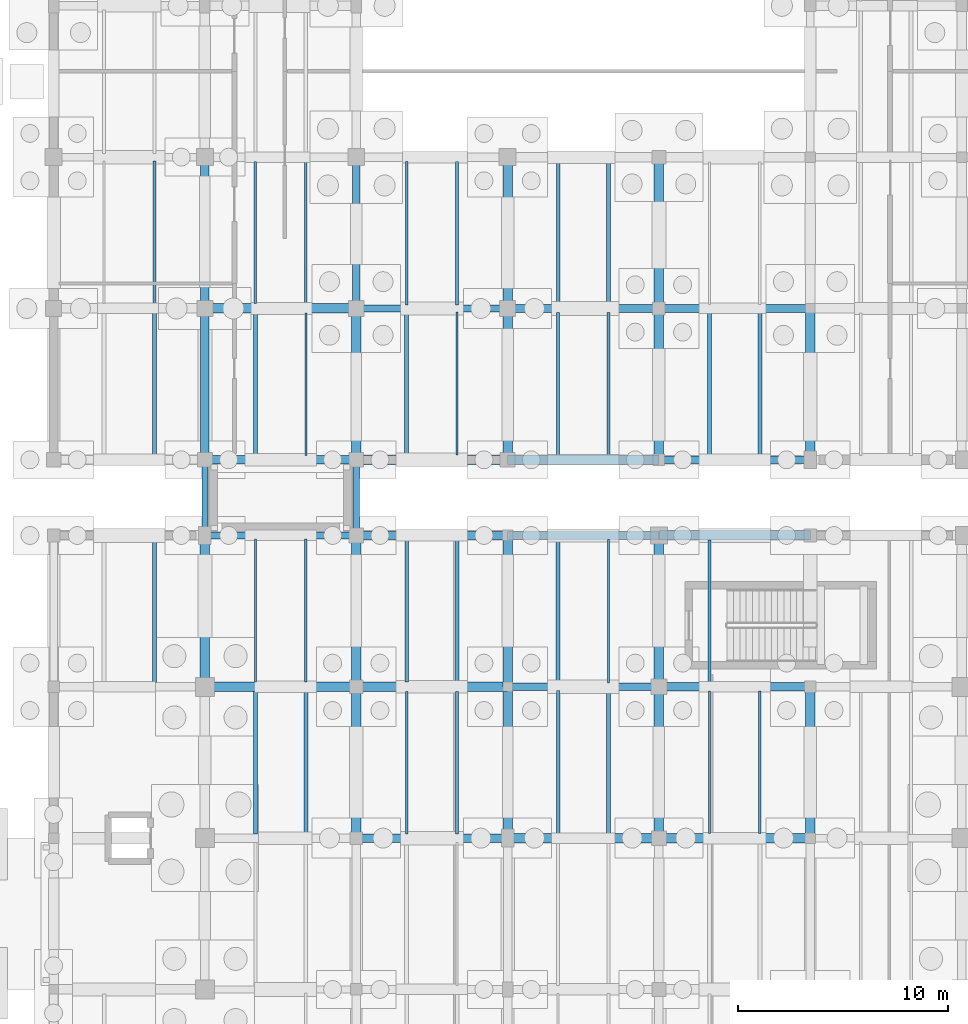
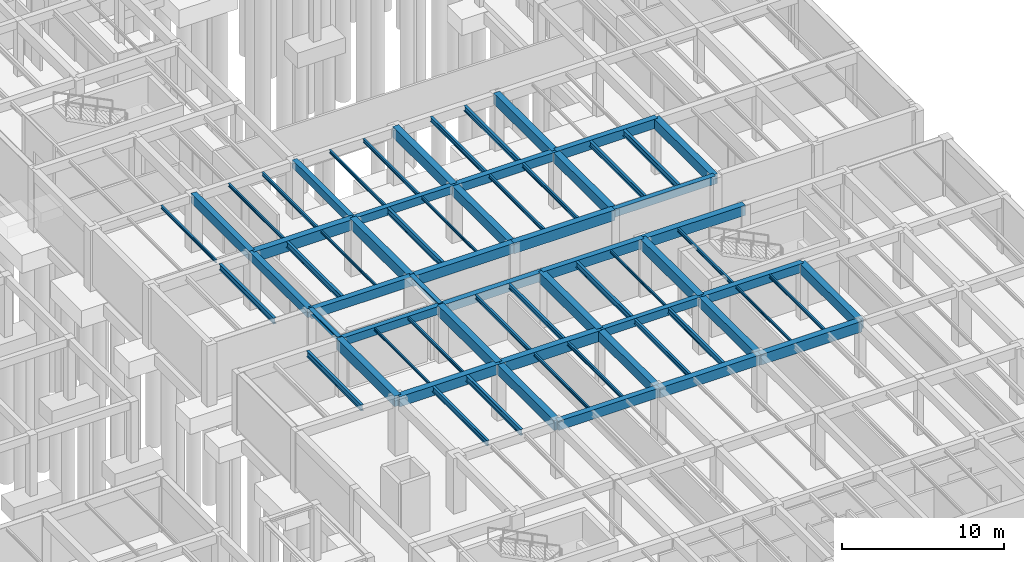
# One storey, part 35 of 63: 70 beams.
"""IFC4 building model written with IfcOpenShell, lengths in metres."""

import ifcopenshell
import ifcopenshell.guid

model = None  # the IFC model being written
_history = None  # IfcOwnerHistory: only IFC2X3 demands one
_inside = {}  # id of a spatial element -> (the spatial element, [elements in it])
_under = {}  # id of a project, library or spatial element -> (it, [spatial elements below it])
_declared = {}  # id of a project -> (the project, [libraries it declares])
_typed = {}  # id of a type object -> (the type object, [elements of that type])
_made_of = {}  # id of a material, layer set ... -> (it, [elements and type objects made of it])


def new_model(schema):
    """Start an empty IFC model of exactly this schema.

    Asked for "IFC4X3", IfcOpenShell would pick the latest addendum, in which some entities
    have other attributes; the version numbers below select the first issue.
    IFC2X3 requires an IfcOwnerHistory on every rooted entity: one is made here for all.
    """
    global model, _history
    if schema == "IFC4X3":
        model = ifcopenshell.file(schema_version=(4, 3, 0, 0))
    else:
        model = ifcopenshell.file(schema=schema)
    _inside.clear()
    _under.clear()
    _declared.clear()
    _typed.clear()
    _made_of.clear()
    _history = None
    if model.schema == "IFC2X3":
        org = make("IfcOrganization", Name="unknown")
        user = make(
            "IfcPersonAndOrganization",
            ThePerson=make("IfcPerson", FamilyName="unknown"),
            TheOrganization=org,
        )
        app = make(
            "IfcApplication",
            ApplicationDeveloper=org,
            Version="unknown",
            ApplicationFullName="unknown",
            ApplicationIdentifier="unknown",
        )
        _history = make(
            "IfcOwnerHistory",
            OwningUser=user,
            OwningApplication=app,
            ChangeAction="ADDED",
            CreationDate=0,
        )
    return model


def make(cls, **values):
    """One entity of the class cls with the attributes given. An attribute that is None is left unset."""
    return model.create_entity(
        cls, **{name: value for name, value in values.items() if value is not None}
    )


def rooted(cls, **values):
    """An entity with a GlobalId (a new one), such as an element, a storey or a relation."""
    return make(cls, GlobalId=ifcopenshell.guid.new(), OwnerHistory=_history, **values)


def si_unit(unit_type, name, prefix=None):
    """IfcSIUnit, for example si_unit("LENGTHUNIT", "METRE", prefix="MILLI")."""
    return make("IfcSIUnit", UnitType=unit_type, Prefix=prefix, Name=name)


def assignment(units):
    """IfcUnitAssignment: the units of a project."""
    return None if units is None else make("IfcUnitAssignment", Units=units)


def point(xyz):
    """IfcCartesianPoint."""
    return None if xyz is None else make("IfcCartesianPoint", Coordinates=xyz)


def direction(xyz):
    """IfcDirection."""
    return None if xyz is None else make("IfcDirection", DirectionRatios=xyz)


def frame(location, z_axis=None, x_axis=None):
    """IfcAxis2Placement3D, a coordinate frame: its origin and axes. An axis left out is left unset."""
    return make(
        "IfcAxis2Placement3D",
        Location=point(location),
        Axis=direction(z_axis),
        RefDirection=direction(x_axis),
    )


def frame_2d(location, x_axis=None):
    """IfcAxis2Placement2D, a coordinate frame in the plane: its origin and x axis."""
    return make(
        "IfcAxis2Placement2D", Location=point(location), RefDirection=direction(x_axis)
    )


def origin():
    """The frame at (0, 0, 0) with its axes left unset."""
    return frame((0.0, 0.0, 0.0))


def origin_2d():
    """The frame at (0, 0) in the plane with its x axis left unset."""
    return frame_2d((0.0, 0.0))


def place(relative_to, where):
    """IfcLocalPlacement: puts the frame where relative to a parent placement (None: the world)."""
    return make(
        "IfcLocalPlacement", PlacementRelTo=relative_to, RelativePlacement=where
    )


def context(
    kind, dimensions, precision=None, world=None, true_north=None, identifier=None
):
    """IfcGeometricRepresentationContext, for example the 3D "Model" context."""
    return make(
        "IfcGeometricRepresentationContext",
        ContextIdentifier=identifier,
        ContextType=kind,
        CoordinateSpaceDimension=dimensions,
        Precision=precision,
        WorldCoordinateSystem=world,
        TrueNorth=true_north,
    )


def subcontext(parent, identifier, kind, view, scale=None):
    """IfcGeometricRepresentationSubContext, for example "Body" below "Model"."""
    return make(
        "IfcGeometricRepresentationSubContext",
        ContextIdentifier=identifier,
        ContextType=kind,
        ParentContext=parent,
        TargetScale=scale,
        TargetView=view,
    )


def project(units=None, contexts=None):
    """IfcProject with its units and contexts."""
    return rooted(
        "IfcProject",
        Name="project",
        RepresentationContexts=contexts,
        UnitsInContext=assignment(units),
    )


def spatial(cls, under=None, at=None, **own):
    """A site, building, storey or space (cls), placed at a placement, below another one or the project."""
    s = rooted(cls, ObjectPlacement=at, **own)
    if under is not None:
        _under.setdefault(under.id(), (under, []))[1].append(s)
    return s


def profile(cls, at=None, kind="AREA", **sizes):
    """A parametric profile (cls). Its sizes go by their IFC names, for example OverallWidth=200.0."""
    return make(cls, ProfileType=kind, Position=at, **sizes)


def rectangle(**sizes):
    """IfcRectangleProfileDef."""
    return profile("IfcRectangleProfileDef", **sizes)


def i_section(**sizes):
    """IfcIShapeProfileDef."""
    return profile("IfcIShapeProfileDef", **sizes)


def extrude(swept, where, along, depth):
    """IfcExtrudedAreaSolid: the profile swept, set in the frame where, extruded along a direction by depth."""
    return make(
        "IfcExtrudedAreaSolid",
        SweptArea=swept,
        Position=where,
        ExtrudedDirection=direction(along),
        Depth=depth,
    )


def shape(context_of_items, identifier, shape_type, items):
    """IfcShapeRepresentation: the items that make up one representation, for example the "Body"."""
    return make(
        "IfcShapeRepresentation",
        ContextOfItems=context_of_items,
        RepresentationIdentifier=identifier,
        RepresentationType=shape_type,
        Items=items,
    )


def material(Name=None, Category=None):
    """IfcMaterial."""
    return make("IfcMaterial", Name=Name, Category=Category)


def material_profile(
    of_material, cross_section, Name=None, Category=None, Priority=None
):
    """IfcMaterialProfile: a cross section and its material."""
    return make(
        "IfcMaterialProfile",
        Name=Name,
        Material=of_material,
        Profile=cross_section,
        Priority=Priority,
        Category=Category,
    )


def profile_set(profiles, Name=None, composite=None):
    """IfcMaterialProfileSet."""
    return make(
        "IfcMaterialProfileSet",
        Name=Name,
        MaterialProfiles=profiles,
        CompositeProfile=composite,
    )


def made_of(thing, what):
    """Note that an element or type object is made of a material, layer set ...; save() writes the relation."""
    if what is not None:
        _made_of.setdefault(what.id(), (what, []))[1].append(thing)
    return thing


def type_object(cls, material=None, **own):
    """A type object (cls), such as IfcWallType, which elements share."""
    return made_of(rooted(cls, **own), material)


def element(
    cls,
    number,
    at=None,
    inside=None,
    cuts=None,
    type_object=None,
    material=None,
    context=None,
    identifier="Body",
    shape_type=None,
    held_by="IfcProductDefinitionShape",
    body=None,
    shapes=None,
    **own,
):
    """One element of the class cls, such as IfcWall. Its Tag is "e" and its number.

    at: its placement. inside: the storey or other place that contains it. cuts: it is an
    opening in that element (IfcRelVoidsElement). A single representation is given by context,
    identifier, shape_type and body (its items); several are given by shapes. held_by: the class
    of the entity that holds the representations. save() writes the other relations.
    """
    e = rooted(cls, Tag="e%d" % number, ObjectPlacement=at, **own)
    if body is not None:
        shapes = [shape(context, identifier, shape_type, body)]
    if shapes is not None:
        e.Representation = make(held_by, Representations=shapes)
    if inside is not None:
        _inside.setdefault(inside.id(), (inside, []))[1].append(e)
    if cuts is not None:
        rooted(
            "IfcRelVoidsElement", RelatingBuildingElement=cuts, RelatedOpeningElement=e
        )
    if type_object is not None:
        _typed.setdefault(type_object.id(), (type_object, []))[1].append(e)
    return made_of(e, material)


def aggregate(whole, parts):
    """IfcRelAggregates: a whole, such as a stair, and the parts it consists of."""
    return rooted("IfcRelAggregates", RelatingObject=whole, RelatedObjects=parts)


def save(model, path):
    """Write the relations noted so far, then the file.

    IfcRelAggregates (storeys below a building ...), IfcRelContainedInSpatialStructure (elements
    in a storey), IfcRelDefinesByType, IfcRelAssociatesMaterial and IfcRelDeclares: one each for
    every whole, place, type object, material and project.
    """
    for whole, parts in _under.values():
        aggregate(whole, parts)
    for where, things in _inside.values():
        rooted(
            "IfcRelContainedInSpatialStructure",
            RelatedElements=things,
            RelatingStructure=where,
        )
    for kind, things in _typed.values():
        rooted("IfcRelDefinesByType", RelatedObjects=things, RelatingType=kind)
    for what, things in _made_of.values():
        rooted("IfcRelAssociatesMaterial", RelatedObjects=things, RelatingMaterial=what)
    for by, libraries in _declared.values():
        rooted("IfcRelDeclares", RelatingContext=by, RelatedDefinitions=libraries)
    model.write(path)


model = new_model("IFC4")

# Units and contexts
model_context = context("Model", 3, precision=1e-05, world=origin(), true_north=direction((0.0, 1.0)))
body_context = subcontext(model_context, "Body", "Model", "MODEL_VIEW")
ifc_project = project(units=[si_unit("LENGTHUNIT", "METRE"), si_unit("AREAUNIT", "SQUARE_METRE"), si_unit("VOLUMEUNIT", "CUBIC_METRE"), si_unit("PLANEANGLEUNIT", "RADIAN"), si_unit("MASSUNIT", "GRAM", prefix="KILO")], contexts=[model_context])

# Site, building, storey
site_placement = place(None, origin())
site = spatial("IfcSite", under=ifc_project, at=site_placement, CompositionType="ELEMENT")
building_placement = place(site_placement, origin())
building = spatial("IfcBuilding", under=site, at=building_placement, Name="Mazaris Harbour Polytechnic", CompositionType="ELEMENT")
storey_placement = place(building_placement, frame((0.0, 0.0, -4.5)))
storey = spatial("IfcBuildingStorey", under=building, at=storey_placement, Name="B1", CompositionType="ELEMENT", Elevation=-4.5)

# Beams
ifc_material_1 = material(Name="Concrete C35/45", Category="concrete")
ifc_material_profile_1 = material_profile(ifc_material_1, rectangle(XDim=0.35009765625, YDim=0.60009765625, at=origin_2d()), Name="RECT350x600")
ifc_profile_set_1 = profile_set([ifc_material_profile_1], Name="Concrete C35/45")
beam_type_1 = type_object("IfcBeamType", Name="RC Girder 350x600", PredefinedType="BEAM", material=ifc_profile_set_1)
for number, where, z_axis, x_axis, name in (
    (1, (144.0, 36.0, 3.8798828125), (1.0, 0.0, 0.0), (0.0, 1.0, 0.0), "V2 B1 Girder 310"),
    (2, (136.800048828125, 54.0, 3.8798828125), (1.0, 0.0, 0.0), (0.0, 1.0, 0.0), "V5 B1 Girder 2495"),
    (3, (136.800048828125, 54.0, 3.8798828125), (0.0, 1.0, 0.0), (-1.0, 0.0, 0.0), "V5 B1 Tie Girder 2565"),
):
    element("IfcBeam", number, at=place(storey_placement, frame(where, z_axis=z_axis, x_axis=x_axis)), inside=storey, type_object=beam_type_1, Name=name, PredefinedType="BEAM", context=body_context, shape_type="SweptSolid", body=[
        extrude(rectangle(XDim=0.35009765625, YDim=0.60009765625, at=origin_2d()), origin(), (0.0, 0.0, 1.0), 7.199951171875),
    ])
ifc_material_2 = material(Name="Concrete C35/45", Category="concrete")
ifc_material_profile_2 = material_profile(ifc_material_2, rectangle(XDim=0.35009765625, YDim=0.60009765625, at=origin_2d()), Name="RECT350x600")
ifc_profile_set_2 = profile_set([ifc_material_profile_2], Name="Concrete C35/45")
beam_type_2 = type_object("IfcBeamType", Name="RC Girder 350x600 Exterior", PredefinedType="BEAM", material=ifc_profile_set_2)
for number, where, z_axis, x_axis, name in (
    (4, (129.60009765625, 43.199951171875, 3.8798828125), (1.0, 0.0, 0.0), (0.0, 1.0, 0.0), "V2 B1 Girder 315"),
    (5, (151.199951171875, 46.800048828125, 3.8798828125), (1.0, 0.0, 0.0), (0.0, 1.0, 0.0), "V5 B1 Girder 2490"),
):
    element("IfcBeam", number, at=place(storey_placement, frame(where, z_axis=z_axis, x_axis=x_axis)), inside=storey, type_object=beam_type_2, Name=name, PredefinedType="BEAM", context=body_context, shape_type="SweptSolid", body=[
        extrude(rectangle(XDim=0.35009765625, YDim=0.60009765625, at=origin_2d()), origin(), (0.0, 0.0, 1.0), 7.199951171875),
    ])
ifc_material_3 = material(Name="Concrete C35/45", Category="concrete")
ifc_material_profile_3 = material_profile(ifc_material_3, rectangle(XDim=0.39990234375, YDim=0.64990234375, at=origin_2d()), Name="RECT400x650")
ifc_profile_set_3 = profile_set([ifc_material_profile_3], Name="Concrete C35/45")
beam_type_3 = type_object("IfcBeamType", Name="RC Girder 400x650", PredefinedType="BEAM", material=ifc_profile_set_3)
for number, where, z_axis, x_axis, name in (
    (6, (151.199951171875, 36.0, 3.85498046875), (1.0, 0.0, 0.0), (0.0, 1.0, 0.0), "V2 B1 Girder 311"),
    (7, (144.0, 54.0, 3.85498046875), (1.0, 0.0, 0.0), (0.0, 1.0, 0.0), "V5 B1 Girder 2496"),
    (8, (129.60009765625, 46.800048828125, 3.85498046875), (0.0, 1.0, 0.0), (-1.0, 0.0, 0.0), "V5 B1 Tie Girder 2556"),
):
    element("IfcBeam", number, at=place(storey_placement, frame(where, z_axis=z_axis, x_axis=x_axis)), inside=storey, type_object=beam_type_3, Name=name, PredefinedType="BEAM", context=body_context, shape_type="SweptSolid", body=[
        extrude(rectangle(XDim=0.39990234375, YDim=0.64990234375, at=origin_2d()), origin(), (0.0, 0.0, 1.0), 7.199951171875),
    ])
ifc_material_4 = material(Name="Concrete C35/45", Category="concrete")
ifc_material_profile_4 = material_profile(ifc_material_4, rectangle(XDim=0.39990234375, YDim=0.64990234375, at=origin_2d()), Name="RECT400x650")
ifc_profile_set_4 = profile_set([ifc_material_profile_4], Name="Concrete C35/45")
beam_type_4 = type_object("IfcBeamType", Name="RC Girder 400x650 Exterior", PredefinedType="BEAM", material=ifc_profile_set_4)
beam_1_placement = place(storey_placement, frame((136.800048828125, 43.199951171875, 3.85498046875), z_axis=(1.0, 0.0, 0.0), x_axis=(0.0, 1.0, 0.0)))
element("IfcBeam", 9, at=beam_1_placement, inside=storey, type_object=beam_type_4, Name="V2 B1 Girder 316", PredefinedType="BEAM", context=body_context, shape_type="SweptSolid", body=[
    extrude(rectangle(XDim=0.39990234375, YDim=0.64990234375, at=origin_2d()), origin(), (0.0, 0.0, 1.0), 7.199951171875),
])
ifc_material_5 = material(Name="Concrete C35/45", Category="concrete")
ifc_material_profile_5 = material_profile(ifc_material_5, rectangle(XDim=0.39990234375, YDim=0.699951171875, at=origin_2d()), Name="RECT400x700")
ifc_profile_set_5 = profile_set([ifc_material_profile_5], Name="Concrete C35/45")
beam_type_5 = type_object("IfcBeamType", Name="RC Girder 400x700", PredefinedType="BEAM", material=ifc_profile_set_5)
for number, where, z_axis, x_axis, name in (
    (10, (136.800048828125, 28.800048828125, 3.830078125), (1.0, 0.0, 0.0), (0.0, 1.0, 0.0), "V2 B1 Girder 302"),
    (11, (151.199951171875, 54.0, 3.830078125), (1.0, 0.0, 0.0), (0.0, 1.0, 0.0), "V5 B1 Girder 2497"),
    (12, (129.60009765625, 54.0, 3.830078125), (0.0, 1.0, 0.0), (-1.0, 0.0, 0.0), "V5 B1 Tie Girder 2557"),
):
    element("IfcBeam", number, at=place(storey_placement, frame(where, z_axis=z_axis, x_axis=x_axis)), inside=storey, type_object=beam_type_5, Name=name, PredefinedType="BEAM", context=body_context, shape_type="SweptSolid", body=[
        extrude(rectangle(XDim=0.39990234375, YDim=0.699951171875, at=origin_2d()), origin(), (0.0, 0.0, 1.0), 7.199951171875),
    ])
ifc_material_6 = material(Name="Concrete C35/45", Category="concrete")
ifc_material_profile_6 = material_profile(ifc_material_6, rectangle(XDim=0.39990234375, YDim=0.699951171875, at=origin_2d()), Name="RECT400x700")
ifc_profile_set_6 = profile_set([ifc_material_profile_6], Name="Concrete C35/45")
beam_type_6 = type_object("IfcBeamType", Name="RC Girder 400x700 Exterior", PredefinedType="BEAM", material=ifc_profile_set_6)
for number, where, z_axis, x_axis, name in (
    (13, (144.0, 43.199951171875, 3.830078125), (1.0, 0.0, 0.0), (0.0, 1.0, 0.0), "V2 B1 Girder 317"),
    (14, (129.60009765625, 46.800048828125, 3.830078125), (1.0, 0.0, 0.0), (0.0, 1.0, 0.0), "V5 B1 Girder 2487"),
):
    element("IfcBeam", number, at=place(storey_placement, frame(where, z_axis=z_axis, x_axis=x_axis)), inside=storey, type_object=beam_type_6, Name=name, PredefinedType="BEAM", context=body_context, shape_type="SweptSolid", body=[
        extrude(rectangle(XDim=0.39990234375, YDim=0.699951171875, at=origin_2d()), origin(), (0.0, 0.0, 1.0), 7.199951171875),
    ])
ifc_material_7 = material(Name="Concrete C40/50", Category="concrete")
ifc_material_profile_7 = material_profile(ifc_material_7, rectangle(XDim=0.449951171875, YDim=0.75, at=origin_2d()), Name="RECT450x750")
ifc_profile_set_7 = profile_set([ifc_material_profile_7], Name="Concrete C40/50")
beam_type_7 = type_object("IfcBeamType", Name="RC Girder 450x750", PredefinedType="BEAM", material=ifc_profile_set_7)
for number, where, z_axis, x_axis, name in (
    (15, (144.0, 28.800048828125, 3.804931640625), (1.0, 0.0, 0.0), (0.0, 1.0, 0.0), "V2 B1 Girder 303"),
    (16, (129.60009765625, 36.0, 3.804931640625), (1.0, 0.0, 0.0), (0.0, 1.0, 0.0), "V2 B1 Girder 308"),
    (17, (136.800048828125, 28.800048828125, 3.804931640625), (0.0, 1.0, 0.0), (-1.0, 0.0, 0.0), "V2 B1 Tie Girder 333"),
    (18, (144.0, 28.800048828125, 3.804931640625), (0.0, 1.0, 0.0), (-1.0, 0.0, 0.0), "V2 B1 Tie Girder 338"),
    (19, (151.199951171875, 28.800048828125, 3.804931640625), (0.0, 1.0, 0.0), (-1.0, 0.0, 0.0), "V2 B1 Tie Girder 343"),
    (20, (158.39990234375, 28.800048828125, 3.804931640625), (0.0, 1.0, 0.0), (-1.0, 0.0, 0.0), "V2 B1 Tie Girder 348"),
    (21, (144.0, 46.800048828125, 3.804931640625), (0.0, 1.0, 0.0), (-1.0, 0.0, 0.0), "V5 B1 Tie Girder 2573"),
    (22, (151.199951171875, 46.800048828125, 3.804931640625), (0.0, 1.0, 0.0), (-1.0, 0.0, 0.0), "V5 B1 Tie Girder 2578"),
    (23, (158.39990234375, 46.800048828125, 3.804931640625), (0.0, 1.0, 0.0), (-1.0, 0.0, 0.0), "V5 B1 Tie Girder 2583"),
):
    element("IfcBeam", number, at=place(storey_placement, frame(where, z_axis=z_axis, x_axis=x_axis)), inside=storey, type_object=beam_type_7, Name=name, PredefinedType="BEAM", context=body_context, shape_type="SweptSolid", body=[
        extrude(rectangle(XDim=0.449951171875, YDim=0.75, at=origin_2d()), origin(), (0.0, 0.0, 1.0), 7.199951171875),
    ])
ifc_material_8 = material(Name="Concrete C40/50", Category="concrete")
ifc_material_profile_8 = material_profile(ifc_material_8, rectangle(XDim=0.449951171875, YDim=0.75, at=origin_2d()), Name="RECT450x750")
ifc_profile_set_8 = profile_set([ifc_material_profile_8], Name="Concrete C40/50")
beam_type_8 = type_object("IfcBeamType", Name="RC Girder 450x750 Exterior", PredefinedType="BEAM", material=ifc_profile_set_8)
for number, where, z_axis, x_axis, name in (
    (24, (151.199951171875, 43.199951171875, 3.804931640625), (1.0, 0.0, 0.0), (0.0, 1.0, 0.0), "V2 B1 Girder 318"),
    (25, (136.800048828125, 46.800048828125, 3.804931640625), (1.0, 0.0, 0.0), (0.0, 1.0, 0.0), "V5 B1 Girder 2488"),
):
    element("IfcBeam", number, at=place(storey_placement, frame(where, z_axis=z_axis, x_axis=x_axis)), inside=storey, type_object=beam_type_8, Name=name, PredefinedType="BEAM", context=body_context, shape_type="SweptSolid", body=[
        extrude(rectangle(XDim=0.449951171875, YDim=0.75, at=origin_2d()), origin(), (0.0, 0.0, 1.0), 7.199951171875),
    ])
ifc_material_9 = material(Name="Concrete C40/50", Category="concrete")
ifc_material_profile_9 = material_profile(ifc_material_9, rectangle(XDim=0.449951171875, YDim=0.800048828125, at=origin_2d()), Name="RECT450x800")
ifc_profile_set_9 = profile_set([ifc_material_profile_9], Name="Concrete C40/50")
beam_type_9 = type_object("IfcBeamType", Name="RC Girder 450x800", PredefinedType="BEAM", material=ifc_profile_set_9)
for number, where, z_axis, x_axis, name in (
    (26, (151.199951171875, 28.800048828125, 3.780029296875), (1.0, 0.0, 0.0), (0.0, 1.0, 0.0), "V2 B1 Girder 304"),
    (27, (136.800048828125, 36.0, 3.780029296875), (1.0, 0.0, 0.0), (0.0, 1.0, 0.0), "V2 B1 Girder 309"),
    (28, (129.60009765625, 36.0, 3.780029296875), (0.0, 1.0, 0.0), (-1.0, 0.0, 0.0), "V2 B1 Tie Girder 329"),
    (29, (136.800048828125, 36.0, 3.780029296875), (0.0, 1.0, 0.0), (-1.0, 0.0, 0.0), "V2 B1 Tie Girder 334"),
    (30, (144.0, 36.0, 3.780029296875), (0.0, 1.0, 0.0), (-1.0, 0.0, 0.0), "V2 B1 Tie Girder 339"),
    (31, (151.199951171875, 36.0, 3.780029296875), (0.0, 1.0, 0.0), (-1.0, 0.0, 0.0), "V2 B1 Tie Girder 344"),
    (32, (129.60009765625, 54.0, 3.780029296875), (1.0, 0.0, 0.0), (0.0, 1.0, 0.0), "V5 B1 Girder 2494"),
    (33, (136.800048828125, 46.800048828125, 3.780029296875), (0.0, 1.0, 0.0), (-1.0, 0.0, 0.0), "V5 B1 Tie Girder 2564"),
    (34, (144.0, 54.0, 3.780029296875), (0.0, 1.0, 0.0), (-1.0, 0.0, 0.0), "V5 B1 Tie Girder 2574"),
    (35, (151.199951171875, 54.0, 3.780029296875), (0.0, 1.0, 0.0), (-1.0, 0.0, 0.0), "V5 B1 Tie Girder 2579"),
):
    element("IfcBeam", number, at=place(storey_placement, frame(where, z_axis=z_axis, x_axis=x_axis)), inside=storey, type_object=beam_type_9, Name=name, PredefinedType="BEAM", context=body_context, shape_type="SweptSolid", body=[
        extrude(rectangle(XDim=0.449951171875, YDim=0.800048828125, at=origin_2d()), origin(), (0.0, 0.0, 1.0), 7.199951171875),
    ])
ifc_material_10 = material(Name="Concrete C40/50", Category="concrete")
ifc_material_profile_10 = material_profile(ifc_material_10, rectangle(XDim=0.449951171875, YDim=0.800048828125, at=origin_2d()), Name="RECT450x800")
ifc_profile_set_10 = profile_set([ifc_material_profile_10], Name="Concrete C40/50")
beam_type_10 = type_object("IfcBeamType", Name="RC Girder 450x800 Exterior", PredefinedType="BEAM", material=ifc_profile_set_10)
beam_2_placement = place(storey_placement, frame((144.0, 46.800048828125, 3.780029296875), z_axis=(1.0, 0.0, 0.0), x_axis=(0.0, 1.0, 0.0)))
element("IfcBeam", 36, at=beam_2_placement, inside=storey, type_object=beam_type_10, Name="V5 B1 Girder 2489", PredefinedType="BEAM", context=body_context, shape_type="SweptSolid", body=[
    extrude(rectangle(XDim=0.449951171875, YDim=0.800048828125, at=origin_2d()), origin(), (0.0, 0.0, 1.0), 7.199951171875),
])
ifc_material_11 = material(Name="Steel S355", Category="steel")
ifc_material_profile_11 = material_profile(ifc_material_11, i_section(OverallWidth=0.300048828125, OverallDepth=0.2900390625, WebThickness=0.008544921875, FlangeThickness=0.013916015625, FilletRadius=0.027099609375, at=origin_2d()), Name="HEA 300")
ifc_profile_set_11 = profile_set([ifc_material_profile_11], Name="Steel S355")
beam_type_11 = type_object("IfcBeamType", Name="Steel Beam HEA300 Exterior", PredefinedType="SPANDREL", material=ifc_profile_set_11)
for number, where, z_axis, x_axis, name in (
    (37, (129.60009765625, 43.199951171875, 4.090087890625), (0.0, 1.0, 0.0), (-1.0, 0.0, 0.0), "PB-NE B1 Bridge Girder 3471"),
    (38, (136.800048828125, 43.199951171875, 4.090087890625), (0.0, 1.0, 0.0), (-1.0, 0.0, 0.0), "PB-NE B1 Bridge Girder 3472"),
):
    element("IfcBeam", number, at=place(storey_placement, frame(where, z_axis=z_axis, x_axis=x_axis)), inside=storey, type_object=beam_type_11, Name=name, PredefinedType="SPANDREL", context=body_context, shape_type="SweptSolid", body=[
        extrude(i_section(OverallWidth=0.300048828125, OverallDepth=0.2900390625, WebThickness=0.008544921875, FlangeThickness=0.013916015625, FilletRadius=0.027099609375, at=origin_2d()), origin(), (0.0, 0.0, 1.0), 3.60009765625),
    ])
ifc_material_12 = material(Name="Steel S355", Category="steel")
ifc_material_profile_12 = material_profile(ifc_material_12, i_section(OverallWidth=0.10009765625, OverallDepth=0.199951171875, WebThickness=0.005615234375, FlangeThickness=0.008544921875, FilletRadius=0.011962890625, at=origin_2d()), Name="IPE 200")
ifc_profile_set_12 = profile_set([ifc_material_profile_12], Name="Steel S355")
beam_type_12 = type_object("IfcBeamType", Name="Steel Joist IPE200", PredefinedType="JOIST", material=ifc_profile_set_12)
beam_3_placement = place(storey_placement, frame((132.0, 36.22509765625, 4.080078125), z_axis=(0.0, 1.0, 0.0), x_axis=(-1.0, 0.0, 0.0)))
element("IfcBeam", 39, at=beam_3_placement, inside=storey, type_object=beam_type_12, Name="V2 B1 Floor Joist 371", PredefinedType="JOIST", context=body_context, shape_type="SweptSolid", body=[
    extrude(i_section(OverallWidth=0.10009765625, OverallDepth=0.199951171875, WebThickness=0.005615234375, FlangeThickness=0.008544921875, FilletRadius=0.011962890625, at=origin_2d()), origin(), (0.0, 0.0, 1.0), 6.7998046875),
])
beam_4_placement = place(storey_placement, frame((148.800048828125, 36.175048828125, 4.080078125), z_axis=(0.0, 1.0, 0.0), x_axis=(-1.0, 0.0, 0.0)))
element("IfcBeam", 40, at=beam_4_placement, inside=storey, type_object=beam_type_12, Name="V2 B1 Floor Joist 392", PredefinedType="JOIST", context=body_context, shape_type="SweptSolid", body=[
    extrude(i_section(OverallWidth=0.10009765625, OverallDepth=0.199951171875, WebThickness=0.005615234375, FlangeThickness=0.008544921875, FilletRadius=0.011962890625, at=origin_2d()), origin(), (0.0, 0.0, 1.0), 6.824951171875),
])
beam_5_placement = place(storey_placement, frame((153.60009765625, 29.02490234375, 4.080078125), z_axis=(0.0, 1.0, 0.0), x_axis=(-1.0, 0.0, 0.0)))
element("IfcBeam", 41, at=beam_5_placement, inside=storey, type_object=beam_type_12, Name="V2 B1 Floor Joist 399", PredefinedType="JOIST", context=body_context, shape_type="SweptSolid", body=[
    extrude(i_section(OverallWidth=0.10009765625, OverallDepth=0.199951171875, WebThickness=0.005615234375, FlangeThickness=0.008544921875, FilletRadius=0.011962890625, at=origin_2d()), origin(), (0.0, 0.0, 1.0), 6.775146484375),
])
beam_6_placement = place(storey_placement, frame((134.39990234375, 47.0, 4.080078125), z_axis=(0.0, 1.0, 0.0), x_axis=(-1.0, 0.0, 0.0)))
element("IfcBeam", 42, at=beam_6_placement, inside=storey, type_object=beam_type_12, Name="V5 B1 Floor Joist 2625", PredefinedType="JOIST", context=body_context, shape_type="SweptSolid", body=[
    extrude(i_section(OverallWidth=0.10009765625, OverallDepth=0.199951171875, WebThickness=0.005615234375, FlangeThickness=0.008544921875, FilletRadius=0.011962890625, at=origin_2d()), origin(), (0.0, 0.0, 1.0), 6.77490234375),
])
beam_7_placement = place(storey_placement, frame((141.60009765625, 47.02490234375, 4.080078125), z_axis=(0.0, 1.0, 0.0), x_axis=(-1.0, 0.0, 0.0)))
element("IfcBeam", 43, at=beam_7_placement, inside=storey, type_object=beam_type_12, Name="V5 B1 Floor Joist 2639", PredefinedType="JOIST", context=body_context, shape_type="SweptSolid", body=[
    extrude(i_section(OverallWidth=0.10009765625, OverallDepth=0.199951171875, WebThickness=0.005615234375, FlangeThickness=0.008544921875, FilletRadius=0.011962890625, at=origin_2d()), origin(), (0.0, 0.0, 1.0), 6.800048828125),
])
ifc_material_13 = material(Name="Steel S355", Category="steel")
ifc_material_profile_13 = material_profile(ifc_material_13, i_section(OverallWidth=0.1201171875, OverallDepth=0.239990234375, WebThickness=0.006103515625, FlangeThickness=0.009765625, FilletRadius=0.014892578125, at=origin_2d()), Name="IPE 240")
ifc_profile_set_13 = profile_set([ifc_material_profile_13], Name="Steel S355")
beam_type_13 = type_object("IfcBeamType", Name="Steel Joist IPE240", PredefinedType="JOIST", material=ifc_profile_set_13)
beam_8_placement = place(storey_placement, frame((134.39990234375, 36.22509765625, 4.06005859375), z_axis=(0.0, 1.0, 0.0), x_axis=(-1.0, 0.0, 0.0)))
element("IfcBeam", 44, at=beam_8_placement, inside=storey, type_object=beam_type_13, Name="V2 B1 Floor Joist 372", PredefinedType="JOIST", context=body_context, shape_type="SweptSolid", body=[
    extrude(i_section(OverallWidth=0.1201171875, OverallDepth=0.239990234375, WebThickness=0.006103515625, FlangeThickness=0.009765625, FilletRadius=0.014892578125, at=origin_2d()), origin(), (0.0, 0.0, 1.0), 6.7998046875),
])
beam_9_placement = place(storey_placement, frame((139.199951171875, 29.0, 4.06005859375), z_axis=(0.0, 1.0, 0.0), x_axis=(-1.0, 0.0, 0.0)))
element("IfcBeam", 45, at=beam_9_placement, inside=storey, type_object=beam_type_13, Name="V2 B1 Floor Joist 379", PredefinedType="JOIST", context=body_context, shape_type="SweptSolid", body=[
    extrude(i_section(OverallWidth=0.1201171875, OverallDepth=0.239990234375, WebThickness=0.006103515625, FlangeThickness=0.009765625, FilletRadius=0.014892578125, at=origin_2d()), origin(), (0.0, 0.0, 1.0), 6.77490234375),
])
beam_10_placement = place(storey_placement, frame((156.0, 29.02490234375, 4.06005859375), z_axis=(0.0, 1.0, 0.0), x_axis=(-1.0, 0.0, 0.0)))
element("IfcBeam", 46, at=beam_10_placement, inside=storey, type_object=beam_type_13, Name="V2 B1 Floor Joist 400", PredefinedType="JOIST", context=body_context, shape_type="SweptSolid", body=[
    extrude(i_section(OverallWidth=0.1201171875, OverallDepth=0.239990234375, WebThickness=0.006103515625, FlangeThickness=0.009765625, FilletRadius=0.014892578125, at=origin_2d()), origin(), (0.0, 0.0, 1.0), 6.775146484375),
])
beam_11_placement = place(storey_placement, frame((127.199951171875, 54.22509765625, 4.06005859375), z_axis=(0.0, 1.0, 0.0), x_axis=(-1.0, 0.0, 0.0)))
element("IfcBeam", 47, at=beam_11_placement, inside=storey, type_object=beam_type_13, Name="V5 B1 Floor Joist 2612", PredefinedType="JOIST", context=body_context, shape_type="SweptSolid", body=[
    extrude(i_section(OverallWidth=0.1201171875, OverallDepth=0.239990234375, WebThickness=0.006103515625, FlangeThickness=0.009765625, FilletRadius=0.014892578125, at=origin_2d()), origin(), (0.0, 0.0, 1.0), 6.7998046875),
])
beam_12_placement = place(storey_placement, frame((132.0, 54.22509765625, 4.06005859375), z_axis=(0.0, 1.0, 0.0), x_axis=(-1.0, 0.0, 0.0)))
element("IfcBeam", 48, at=beam_12_placement, inside=storey, type_object=beam_type_13, Name="V5 B1 Floor Joist 2626", PredefinedType="JOIST", context=body_context, shape_type="SweptSolid", body=[
    extrude(i_section(OverallWidth=0.1201171875, OverallDepth=0.239990234375, WebThickness=0.006103515625, FlangeThickness=0.009765625, FilletRadius=0.014892578125, at=origin_2d()), origin(), (0.0, 0.0, 1.0), 6.77490234375),
])
beam_13_placement = place(storey_placement, frame((139.199951171875, 54.175048828125, 4.06005859375), z_axis=(0.0, 1.0, 0.0), x_axis=(-1.0, 0.0, 0.0)))
element("IfcBeam", 49, at=beam_13_placement, inside=storey, type_object=beam_type_13, Name="V5 B1 Floor Joist 2640", PredefinedType="JOIST", context=body_context, shape_type="SweptSolid", body=[
    extrude(i_section(OverallWidth=0.1201171875, OverallDepth=0.239990234375, WebThickness=0.006103515625, FlangeThickness=0.009765625, FilletRadius=0.014892578125, at=origin_2d()), origin(), (0.0, 0.0, 1.0), 6.824951171875),
])
ifc_material_14 = material(Name="Steel S355", Category="steel")
ifc_material_profile_14 = material_profile(ifc_material_14, i_section(OverallWidth=0.135009765625, OverallDepth=0.27001953125, WebThickness=0.006591796875, FlangeThickness=0.01025390625, FilletRadius=0.014892578125, at=origin_2d()), Name="IPE 270")
ifc_profile_set_14 = profile_set([ifc_material_profile_14], Name="Steel S355")
beam_type_14 = type_object("IfcBeamType", Name="Steel Joist IPE270", PredefinedType="JOIST", material=ifc_profile_set_14)
beam_14_placement = place(storey_placement, frame((141.60009765625, 29.0, 4.044921875), z_axis=(0.0, 1.0, 0.0), x_axis=(-1.0, 0.0, 0.0)))
element("IfcBeam", 50, at=beam_14_placement, inside=storey, type_object=beam_type_14, Name="V2 B1 Floor Joist 380", PredefinedType="JOIST", context=body_context, shape_type="SweptSolid", body=[
    extrude(i_section(OverallWidth=0.135009765625, OverallDepth=0.27001953125, WebThickness=0.006591796875, FlangeThickness=0.01025390625, FilletRadius=0.014892578125, at=origin_2d()), origin(), (0.0, 0.0, 1.0), 6.77490234375),
])
beam_15_placement = place(storey_placement, frame((153.60009765625, 36.199951171875, 4.044921875), z_axis=(0.0, 1.0, 0.0), x_axis=(-1.0, 0.0, 0.0)))
element("IfcBeam", 51, at=beam_15_placement, inside=storey, type_object=beam_type_14, Name="V2 B1 Floor Joist 401", PredefinedType="JOIST", context=body_context, shape_type="SweptSolid", body=[
    extrude(i_section(OverallWidth=0.135009765625, OverallDepth=0.27001953125, WebThickness=0.006591796875, FlangeThickness=0.01025390625, FilletRadius=0.014892578125, at=origin_2d()), origin(), (0.0, 0.0, 1.0), 6.775146484375),
])
beam_16_placement = place(storey_placement, frame((134.39990234375, 54.22509765625, 4.044921875), z_axis=(0.0, 1.0, 0.0), x_axis=(-1.0, 0.0, 0.0)))
element("IfcBeam", 52, at=beam_16_placement, inside=storey, type_object=beam_type_14, Name="V5 B1 Floor Joist 2627", PredefinedType="JOIST", context=body_context, shape_type="SweptSolid", body=[
    extrude(i_section(OverallWidth=0.135009765625, OverallDepth=0.27001953125, WebThickness=0.006591796875, FlangeThickness=0.01025390625, FilletRadius=0.014892578125, at=origin_2d()), origin(), (0.0, 0.0, 1.0), 6.77490234375),
])
beam_17_placement = place(storey_placement, frame((141.60009765625, 54.175048828125, 4.044921875), z_axis=(0.0, 1.0, 0.0), x_axis=(-1.0, 0.0, 0.0)))
element("IfcBeam", 53, at=beam_17_placement, inside=storey, type_object=beam_type_14, Name="V5 B1 Floor Joist 2641", PredefinedType="JOIST", context=body_context, shape_type="SweptSolid", body=[
    extrude(i_section(OverallWidth=0.135009765625, OverallDepth=0.27001953125, WebThickness=0.006591796875, FlangeThickness=0.01025390625, FilletRadius=0.014892578125, at=origin_2d()), origin(), (0.0, 0.0, 1.0), 6.824951171875),
])
beam_18_placement = place(storey_placement, frame((146.39990234375, 47.02490234375, 4.044921875), z_axis=(0.0, 1.0, 0.0), x_axis=(-1.0, 0.0, 0.0)))
element("IfcBeam", 54, at=beam_18_placement, inside=storey, type_object=beam_type_14, Name="V5 B1 Floor Joist 2648", PredefinedType="JOIST", context=body_context, shape_type="SweptSolid", body=[
    extrude(i_section(OverallWidth=0.135009765625, OverallDepth=0.27001953125, WebThickness=0.006591796875, FlangeThickness=0.01025390625, FilletRadius=0.014892578125, at=origin_2d()), origin(), (0.0, 0.0, 1.0), 6.775146484375),
])
ifc_material_15 = material(Name="Steel S355", Category="steel")
ifc_material_profile_15 = material_profile(ifc_material_15, i_section(OverallWidth=0.14990234375, OverallDepth=0.300048828125, WebThickness=0.007080078125, FlangeThickness=0.0107421875, FilletRadius=0.014892578125, at=origin_2d()), Name="IPE 300")
ifc_profile_set_15 = profile_set([ifc_material_profile_15], Name="Steel S355")
beam_type_15 = type_object("IfcBeamType", Name="Steel Joist IPE300", PredefinedType="JOIST", material=ifc_profile_set_15)
beam_19_placement = place(storey_placement, frame((139.199951171875, 36.22509765625, 4.030029296875), z_axis=(0.0, 1.0, 0.0), x_axis=(-1.0, 0.0, 0.0)))
element("IfcBeam", 55, at=beam_19_placement, inside=storey, type_object=beam_type_15, Name="V2 B1 Floor Joist 381", PredefinedType="JOIST", context=body_context, shape_type="SweptSolid", body=[
    extrude(i_section(OverallWidth=0.14990234375, OverallDepth=0.300048828125, WebThickness=0.007080078125, FlangeThickness=0.0107421875, FilletRadius=0.014892578125, at=origin_2d()), origin(), (0.0, 0.0, 1.0), 6.77490234375),
])
beam_20_placement = place(storey_placement, frame((148.800048828125, 47.02490234375, 4.030029296875), z_axis=(0.0, 1.0, 0.0), x_axis=(-1.0, 0.0, 0.0)))
element("IfcBeam", 56, at=beam_20_placement, inside=storey, type_object=beam_type_15, Name="V5 B1 Floor Joist 2649", PredefinedType="JOIST", context=body_context, shape_type="SweptSolid", body=[
    extrude(i_section(OverallWidth=0.14990234375, OverallDepth=0.300048828125, WebThickness=0.007080078125, FlangeThickness=0.0107421875, FilletRadius=0.014892578125, at=origin_2d()), origin(), (0.0, 0.0, 1.0), 6.775146484375),
])
ifc_material_16 = material(Name="Steel S355", Category="steel")
ifc_material_profile_16 = material_profile(ifc_material_16, i_section(OverallWidth=0.169921875, OverallDepth=0.360107421875, WebThickness=0.008056640625, FlangeThickness=0.0126953125, FilletRadius=0.01806640625, at=origin_2d()), Name="IPE 360")
ifc_profile_set_16 = profile_set([ifc_material_profile_16], Name="Steel S355")
beam_type_16 = type_object("IfcBeamType", Name="Steel Joist IPE360", PredefinedType="JOIST", material=ifc_profile_set_16)
beam_21_placement = place(storey_placement, frame((141.60009765625, 36.22509765625, 4.0), z_axis=(0.0, 1.0, 0.0), x_axis=(-1.0, 0.0, 0.0)))
element("IfcBeam", 57, at=beam_21_placement, inside=storey, type_object=beam_type_16, Name="V2 B1 Floor Joist 382", PredefinedType="JOIST", context=body_context, shape_type="SweptSolid", body=[
    extrude(i_section(OverallWidth=0.169921875, OverallDepth=0.360107421875, WebThickness=0.008056640625, FlangeThickness=0.0126953125, FilletRadius=0.01806640625, at=origin_2d()), origin(), (0.0, 0.0, 1.0), 6.77490234375),
])
beam_22_placement = place(storey_placement, frame((146.39990234375, 29.02490234375, 4.0), z_axis=(0.0, 1.0, 0.0), x_axis=(-1.0, 0.0, 0.0)))
element("IfcBeam", 58, at=beam_22_placement, inside=storey, type_object=beam_type_16, Name="V2 B1 Floor Joist 389", PredefinedType="JOIST", context=body_context, shape_type="SweptSolid", body=[
    extrude(i_section(OverallWidth=0.169921875, OverallDepth=0.360107421875, WebThickness=0.008056640625, FlangeThickness=0.0126953125, FilletRadius=0.01806640625, at=origin_2d()), origin(), (0.0, 0.0, 1.0), 6.800048828125),
])
beam_23_placement = place(storey_placement, frame((146.39990234375, 54.199951171875, 4.0), z_axis=(0.0, 1.0, 0.0), x_axis=(-1.0, 0.0, 0.0)))
element("IfcBeam", 59, at=beam_23_placement, inside=storey, type_object=beam_type_16, Name="V5 B1 Floor Joist 2650", PredefinedType="JOIST", context=body_context, shape_type="SweptSolid", body=[
    extrude(i_section(OverallWidth=0.169921875, OverallDepth=0.360107421875, WebThickness=0.008056640625, FlangeThickness=0.0126953125, FilletRadius=0.01806640625, at=origin_2d()), origin(), (0.0, 0.0, 1.0), 6.775146484375),
])
ifc_material_17 = material(Name="Steel S355", Category="steel")
ifc_material_profile_17 = material_profile(ifc_material_17, i_section(OverallWidth=0.179931640625, OverallDepth=0.39990234375, WebThickness=0.008544921875, FlangeThickness=0.013427734375, FilletRadius=0.02099609375, at=origin_2d()), Name="IPE 400")
ifc_profile_set_17 = profile_set([ifc_material_profile_17], Name="Steel S355")
beam_type_17 = type_object("IfcBeamType", Name="Steel Joist IPE400", PredefinedType="JOIST", material=ifc_profile_set_17)
beam_24_placement = place(storey_placement, frame((132.0, 29.0, 3.97998046875), z_axis=(0.0, 1.0, 0.0), x_axis=(-1.0, 0.0, 0.0)))
element("IfcBeam", 60, at=beam_24_placement, inside=storey, type_object=beam_type_17, Name="V2 B1 Floor Joist 369", PredefinedType="JOIST", context=body_context, shape_type="SweptSolid", body=[
    extrude(i_section(OverallWidth=0.179931640625, OverallDepth=0.39990234375, WebThickness=0.008544921875, FlangeThickness=0.013427734375, FilletRadius=0.02099609375, at=origin_2d()), origin(), (0.0, 0.0, 1.0), 6.77490234375),
])
beam_25_placement = place(storey_placement, frame((148.800048828125, 29.02490234375, 3.97998046875), z_axis=(0.0, 1.0, 0.0), x_axis=(-1.0, 0.0, 0.0)))
element("IfcBeam", 61, at=beam_25_placement, inside=storey, type_object=beam_type_17, Name="V2 B1 Floor Joist 390", PredefinedType="JOIST", context=body_context, shape_type="SweptSolid", body=[
    extrude(i_section(OverallWidth=0.179931640625, OverallDepth=0.39990234375, WebThickness=0.008544921875, FlangeThickness=0.013427734375, FilletRadius=0.02099609375, at=origin_2d()), origin(), (0.0, 0.0, 1.0), 6.800048828125),
])
beam_26_placement = place(storey_placement, frame((148.800048828125, 54.199951171875, 3.97998046875), z_axis=(0.0, 1.0, 0.0), x_axis=(-1.0, 0.0, 0.0)))
element("IfcBeam", 62, at=beam_26_placement, inside=storey, type_object=beam_type_17, Name="V5 B1 Floor Joist 2651", PredefinedType="JOIST", context=body_context, shape_type="SweptSolid", body=[
    extrude(i_section(OverallWidth=0.179931640625, OverallDepth=0.39990234375, WebThickness=0.008544921875, FlangeThickness=0.013427734375, FilletRadius=0.02099609375, at=origin_2d()), origin(), (0.0, 0.0, 1.0), 6.775146484375),
])
beam_27_placement = place(storey_placement, frame((153.60009765625, 46.97509765625, 3.97998046875), z_axis=(0.0, 1.0, 0.0), x_axis=(-1.0, 0.0, 0.0)))
element("IfcBeam", 63, at=beam_27_placement, inside=storey, type_object=beam_type_17, Name="V5 B1 Floor Joist 2658", PredefinedType="JOIST", context=body_context, shape_type="SweptSolid", body=[
    extrude(i_section(OverallWidth=0.179931640625, OverallDepth=0.39990234375, WebThickness=0.008544921875, FlangeThickness=0.013427734375, FilletRadius=0.02099609375, at=origin_2d()), origin(), (0.0, 0.0, 1.0), 6.824951171875),
])
ifc_material_18 = material(Name="Steel S355", Category="steel")
ifc_material_profile_18 = material_profile(ifc_material_18, i_section(OverallWidth=0.18994140625, OverallDepth=0.449951171875, WebThickness=0.009521484375, FlangeThickness=0.0146484375, FilletRadius=0.02099609375, at=origin_2d()), Name="IPE 450")
ifc_profile_set_18 = profile_set([ifc_material_profile_18], Name="Steel S355")
beam_type_18 = type_object("IfcBeamType", Name="Steel Joist IPE450", PredefinedType="JOIST", material=ifc_profile_set_18)
beam_28_placement = place(storey_placement, frame((127.199951171875, 36.199951171875, 3.955078125), z_axis=(0.0, 1.0, 0.0), x_axis=(-1.0, 0.0, 0.0)))
element("IfcBeam", 64, at=beam_28_placement, inside=storey, type_object=beam_type_18, Name="V2 B1 Floor Joist 363", PredefinedType="JOIST", context=body_context, shape_type="SweptSolid", body=[
    extrude(i_section(OverallWidth=0.18994140625, OverallDepth=0.449951171875, WebThickness=0.009521484375, FlangeThickness=0.0146484375, FilletRadius=0.02099609375, at=origin_2d()), origin(), (0.0, 0.0, 1.0), 6.775146484375),
])
beam_29_placement = place(storey_placement, frame((134.39990234375, 29.0, 3.955078125), z_axis=(0.0, 1.0, 0.0), x_axis=(-1.0, 0.0, 0.0)))
element("IfcBeam", 65, at=beam_29_placement, inside=storey, type_object=beam_type_18, Name="V2 B1 Floor Joist 370", PredefinedType="JOIST", context=body_context, shape_type="SweptSolid", body=[
    extrude(i_section(OverallWidth=0.18994140625, OverallDepth=0.449951171875, WebThickness=0.009521484375, FlangeThickness=0.0146484375, FilletRadius=0.02099609375, at=origin_2d()), origin(), (0.0, 0.0, 1.0), 6.77490234375),
])
beam_30_placement = place(storey_placement, frame((146.39990234375, 36.175048828125, 3.955078125), z_axis=(0.0, 1.0, 0.0), x_axis=(-1.0, 0.0, 0.0)))
element("IfcBeam", 66, at=beam_30_placement, inside=storey, type_object=beam_type_18, Name="V2 B1 Floor Joist 391", PredefinedType="JOIST", context=body_context, shape_type="SweptSolid", body=[
    extrude(i_section(OverallWidth=0.18994140625, OverallDepth=0.449951171875, WebThickness=0.009521484375, FlangeThickness=0.0146484375, FilletRadius=0.02099609375, at=origin_2d()), origin(), (0.0, 0.0, 1.0), 6.824951171875),
])
for number, where, z_axis, x_axis, name in (
    (67, (127.199951171875, 47.0, 3.955078125), (0.0, 1.0, 0.0), (-1.0, 0.0, 0.0), "V5 B1 Floor Joist 2610"),
    (68, (132.0, 47.0, 3.955078125), (0.0, 1.0, 0.0), (-1.0, 0.0, 0.0), "V5 B1 Floor Joist 2624"),
):
    element("IfcBeam", number, at=place(storey_placement, frame(where, z_axis=z_axis, x_axis=x_axis)), inside=storey, type_object=beam_type_18, Name=name, PredefinedType="JOIST", context=body_context, shape_type="SweptSolid", body=[
        extrude(i_section(OverallWidth=0.18994140625, OverallDepth=0.449951171875, WebThickness=0.009521484375, FlangeThickness=0.0146484375, FilletRadius=0.02099609375, at=origin_2d()), origin(), (0.0, 0.0, 1.0), 6.77490234375),
    ])
beam_31_placement = place(storey_placement, frame((139.199951171875, 47.02490234375, 3.955078125), z_axis=(0.0, 1.0, 0.0), x_axis=(-1.0, 0.0, 0.0)))
element("IfcBeam", 69, at=beam_31_placement, inside=storey, type_object=beam_type_18, Name="V5 B1 Floor Joist 2638", PredefinedType="JOIST", context=body_context, shape_type="SweptSolid", body=[
    extrude(i_section(OverallWidth=0.18994140625, OverallDepth=0.449951171875, WebThickness=0.009521484375, FlangeThickness=0.0146484375, FilletRadius=0.02099609375, at=origin_2d()), origin(), (0.0, 0.0, 1.0), 6.800048828125),
])
beam_32_placement = place(storey_placement, frame((156.0, 46.97509765625, 3.955078125), z_axis=(0.0, 1.0, 0.0), x_axis=(-1.0, 0.0, 0.0)))
element("IfcBeam", 70, at=beam_32_placement, inside=storey, type_object=beam_type_18, Name="V5 B1 Floor Joist 2659", PredefinedType="JOIST", context=body_context, shape_type="SweptSolid", body=[
    extrude(i_section(OverallWidth=0.18994140625, OverallDepth=0.449951171875, WebThickness=0.009521484375, FlangeThickness=0.0146484375, FilletRadius=0.02099609375, at=origin_2d()), origin(), (0.0, 0.0, 1.0), 6.824951171875),
])

save(model, "model.ifc")
